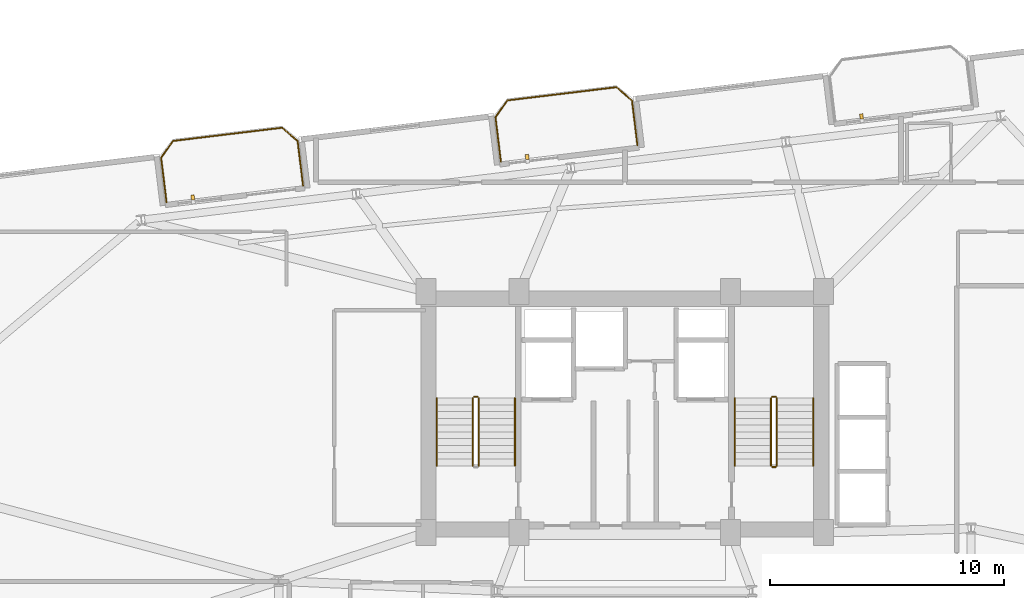
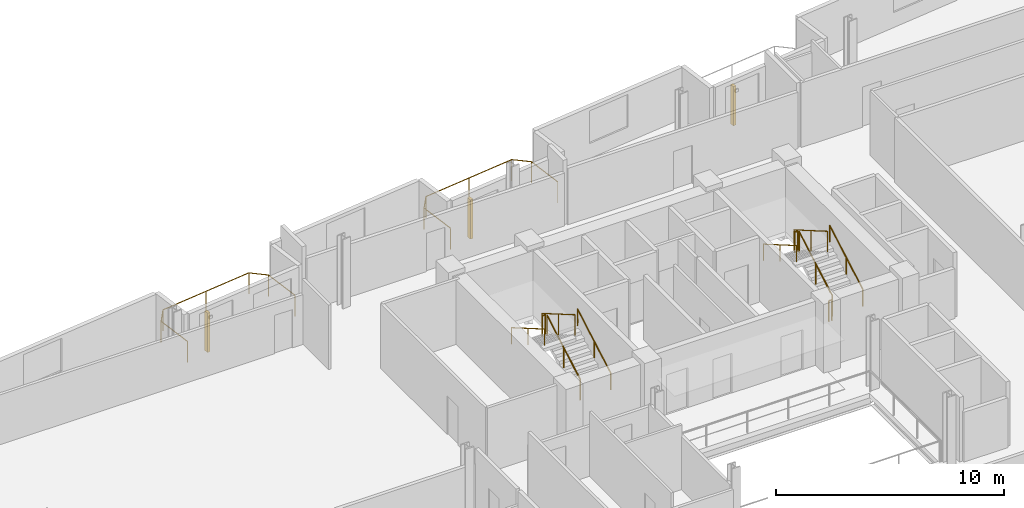
# One storey, part 22 of 23: 13 railings, 3 shading devices.
"""IFC4 building model written with IfcOpenShell, lengths in metres."""

from ifc_helpers import new_model, si_unit, direction, frame, origin, origin_2d, place, context, subcontext, project, spatial, rectangle, circle, extrude, source, transform, mapped, material, type_object, element, save


model = new_model("IFC4")

# Units and contexts
model_context = context("Model", 3, precision=1e-05, world=origin(), true_north=direction((0.0, 1.0)))
body_context = subcontext(model_context, "Body", "Model", "MODEL_VIEW")
ifc_project = project(units=[si_unit("LENGTHUNIT", "METRE"), si_unit("AREAUNIT", "SQUARE_METRE"), si_unit("VOLUMEUNIT", "CUBIC_METRE"), si_unit("PLANEANGLEUNIT", "RADIAN"), si_unit("MASSUNIT", "GRAM", prefix="KILO")], contexts=[model_context])

# Site, building, storey
site_placement = place(None, origin())
site = spatial("IfcSite", under=ifc_project, at=site_placement, CompositionType="ELEMENT")
building_placement = place(site_placement, origin())
building = spatial("IfcBuilding", under=site, at=building_placement, Name="Varnelok Gate Tower", CompositionType="ELEMENT")
storey_placement = place(building_placement, frame((0.0, 0.0, 200.5)))
storey = spatial("IfcBuildingStorey", under=building, at=storey_placement, Name="L51", CompositionType="ELEMENT", Elevation=200.5)

# Railings
ifc_material_1 = material(Name="Low-E Laminated Double Glazing IGU", Category="glass")
railing_type_1 = type_object("IfcRailingType", Name="RL-BALC-1150", PredefinedType="BALUSTRADE", material=ifc_material_1)
railing_1_placement = place(storey_placement, frame((19.603271484375, 42.869384765625, 0.0)))
element("IfcRailing", 1, at=railing_1_placement, inside=storey, type_object=railing_type_1, Name="L51 North Terrace Balustrade 4", PredefinedType="BALUSTRADE", context=body_context, shape_type="SweptSolid", body=[
    extrude(circle(Radius=0.02392578125, at=origin_2d()), frame((0.0, 0.0, 1.1259765625), z_axis=(-0.120418709125, 0.992723191274, 0.0), x_axis=(-0.992723191274, -0.120418709125, 0.0)), (0.0, 0.0, 1.0), 1.919921875),
    extrude(circle(Radius=0.02392578125, at=origin_2d()), frame((-0.231201171875, 1.906005859375, 1.1259765625), z_axis=(0.57815621837, 0.815926091726, 0.0), x_axis=(-0.815926091726, 0.57815621837, 0.0)), (0.0, 0.0, 1.0), 0.8779296875),
    extrude(circle(Radius=0.02392578125, at=origin_2d()), frame((0.2763671875, 2.622314453125, 1.1259765625), z_axis=(0.992730585037, 0.120357739811, 0.0), x_axis=(-0.120357739811, 0.992730585037, 0.0)), (0.0, 0.0, 1.0), 4.699951171875),
    extrude(circle(Radius=0.02392578125, at=origin_2d()), frame((4.942138671875, 3.18798828125, 1.1259765625), z_axis=(0.756285086452, -0.654242208979, 0.0), x_axis=(0.654242208979, 0.756285086452, 0.0)), (0.0, 0.0, 1.0), 0.878173828125),
    extrude(circle(Radius=0.02392578125, at=origin_2d()), frame((5.606201171875, 2.613525390625, 1.1259765625), z_axis=(0.120293392036, -0.992738384386, 0.0), x_axis=(0.992738384386, 0.120293392036, 0.0)), (0.0, 0.0, 1.0), 1.919921875),
    extrude(circle(Radius=0.02099609375, at=origin_2d()), origin(), (0.0, 0.0, 1.0), 1.101806640625),
    extrude(circle(Radius=0.02099609375, at=origin_2d()), frame((-0.231201171875, 1.906005859375, 0.0)), (0.0, 0.0, 1.0), 1.101806640625),
    extrude(circle(Radius=0.02099609375, at=origin_2d()), frame((0.2763671875, 2.622314453125, 0.0)), (0.0, 0.0, 1.0), 1.101806640625),
    extrude(circle(Radius=0.02099609375, at=origin_2d()), frame((2.609375, 2.9052734375, 0.0)), (0.0, 0.0, 1.0), 1.101806640625),
    extrude(circle(Radius=0.02099609375, at=origin_2d()), frame((4.942138671875, 3.18798828125, 0.0)), (0.0, 0.0, 1.0), 1.101806640625),
    extrude(circle(Radius=0.02099609375, at=origin_2d()), frame((5.606201171875, 2.613525390625, 0.0)), (0.0, 0.0, 1.0), 1.101806640625),
    extrude(circle(Radius=0.02099609375, at=origin_2d()), frame((5.837158203125, 0.70751953125, 0.0)), (0.0, 0.0, 1.0), 1.101806640625),
])
railing_2_placement = place(storey_placement, frame((33.8984375, 44.602294921875, 0.0)))
element("IfcRailing", 2, at=railing_2_placement, inside=storey, type_object=railing_type_1, Name="L51 North Terrace Balustrade 5", PredefinedType="BALUSTRADE", context=body_context, shape_type="SweptSolid", body=[
    extrude(circle(Radius=0.02392578125, at=origin_2d()), frame((0.0, 0.0, 1.1259765625), z_axis=(-0.120293392036, 0.992738384386, 0.0), x_axis=(-0.992738384386, -0.120293392036, 0.0)), (0.0, 0.0, 1.0), 1.919921875),
    extrude(circle(Radius=0.02392578125, at=origin_2d()), frame((-0.23095703125, 1.906005859375, 1.1259765625), z_axis=(0.57815621837, 0.815926091726, 0.0), x_axis=(-0.815926091726, 0.57815621837, 0.0)), (0.0, 0.0, 1.0), 0.8779296875),
    extrude(circle(Radius=0.02392578125, at=origin_2d()), frame((0.276611328125, 2.622314453125, 1.1259765625), z_axis=(0.992730585037, 0.120357739811, 0.0), x_axis=(-0.120357739811, 0.992730585037, 0.0)), (0.0, 0.0, 1.0), 4.699951171875),
    extrude(circle(Radius=0.02392578125, at=origin_2d()), frame((4.9423828125, 3.18798828125, 1.1259765625), z_axis=(0.756303655992, -0.654220742513, 0.0), x_axis=(0.654220742513, 0.756303655992, 0.0)), (0.0, 0.0, 1.0), 0.877685546875),
    extrude(circle(Radius=0.02392578125, at=origin_2d()), frame((5.606201171875, 2.61376953125, 1.1259765625), z_axis=(0.12040351024, -0.992725034802, 0.0), x_axis=(0.992725034802, 0.12040351024, 0.0)), (0.0, 0.0, 1.0), 1.920166015625),
    extrude(circle(Radius=0.02099609375, at=origin_2d()), origin(), (0.0, 0.0, 1.0), 1.101806640625),
    extrude(circle(Radius=0.02099609375, at=origin_2d()), frame((-0.23095703125, 1.906005859375, 0.0)), (0.0, 0.0, 1.0), 1.101806640625),
    extrude(circle(Radius=0.02099609375, at=origin_2d()), frame((0.276611328125, 2.622314453125, 0.0)), (0.0, 0.0, 1.0), 1.101806640625),
    extrude(circle(Radius=0.02099609375, at=origin_2d()), frame((2.609375, 2.9052734375, 0.0)), (0.0, 0.0, 1.0), 1.101806640625),
    extrude(circle(Radius=0.02099609375, at=origin_2d()), frame((4.9423828125, 3.18798828125, 0.0)), (0.0, 0.0, 1.0), 1.101806640625),
    extrude(circle(Radius=0.02099609375, at=origin_2d()), frame((5.606201171875, 2.61376953125, 0.0)), (0.0, 0.0, 1.0), 1.101806640625),
    extrude(circle(Radius=0.02099609375, at=origin_2d()), frame((5.83740234375, 0.70751953125, 0.0)), (0.0, 0.0, 1.0), 1.101806640625),
])
ifc_material_2 = material(Name="Brushed Stainless Steel AISI 316", Category="steel")
railing_type_2 = type_object("IfcRailingType", Name="RL-HANDRAIL-900", PredefinedType="HANDRAIL", material=ifc_material_2)
railing_3_placement = place(storey_placement, frame((34.5, 31.60009765625, 0.168212890625)))
element("IfcRailing", 3, at=railing_3_placement, inside=storey, type_object=railing_type_2, Name="L51 ST-1 stair handrail 1", PredefinedType="HANDRAIL", context=body_context, shape_type="SweptSolid", body=[
    extrude(circle(Radius=0.02392578125, at=origin_2d()), frame((0.0, 0.0, 0.8759765625), z_axis=(0.0, 0.865038774852, 0.501705010941), x_axis=(-1.0, 0.0, 0.0)), (0.0, 0.0, 1.0), 3.352294921875),
    extrude(circle(Radius=0.02099609375, at=origin_2d()), origin(), (0.0, 0.0, 1.0), 0.851806640625),
    extrude(circle(Radius=0.02099609375, at=origin_2d()), frame((0.0, 1.449951171875, 0.8408203125)), (0.0, 0.0, 1.0), 0.851806640625),
    extrude(circle(Radius=0.02099609375, at=origin_2d()), frame((0.0, 2.89990234375, 1.681884765625)), (0.0, 0.0, 1.0), 0.851806640625),
])
railing_4_placement = place(storey_placement, frame((31.14990234375, 34.5, 2.01806640625)))
element("IfcRailing", 4, at=railing_4_placement, inside=storey, type_object=railing_type_2, Name="L51 ST-1 stair handrail 2", PredefinedType="HANDRAIL", context=body_context, shape_type="SweptSolid", body=[
    extrude(circle(Radius=0.02392578125, at=origin_2d()), frame((0.0, 0.0, 0.8759765625), z_axis=(0.0, -0.865038774852, 0.501705010941), x_axis=(1.0, 0.0, 0.0)), (0.0, 0.0, 1.0), 3.352294921875),
    extrude(circle(Radius=0.02099609375, at=origin_2d()), origin(), (0.0, 0.0, 1.0), 0.851806640625),
    extrude(circle(Radius=0.02099609375, at=origin_2d()), frame((0.0, -1.449951171875, 0.8408203125)), (0.0, 0.0, 1.0), 0.851806640625),
    extrude(circle(Radius=0.02099609375, at=origin_2d()), frame((0.0, -2.89990234375, 1.681884765625)), (0.0, 0.0, 1.0), 0.851806640625),
])
railing_5_placement = place(storey_placement, frame((47.25, 31.60009765625, 0.168212890625)))
element("IfcRailing", 5, at=railing_5_placement, inside=storey, type_object=railing_type_2, Name="L51 ST-2 stair handrail 1", PredefinedType="HANDRAIL", context=body_context, shape_type="SweptSolid", body=[
    extrude(circle(Radius=0.02392578125, at=origin_2d()), frame((0.0, 0.0, 0.8759765625), z_axis=(0.0, 0.865038774852, 0.501705010941), x_axis=(-1.0, 0.0, 0.0)), (0.0, 0.0, 1.0), 3.352294921875),
    extrude(circle(Radius=0.02099609375, at=origin_2d()), origin(), (0.0, 0.0, 1.0), 0.851806640625),
    extrude(circle(Radius=0.02099609375, at=origin_2d()), frame((0.0, 1.449951171875, 0.8408203125)), (0.0, 0.0, 1.0), 0.851806640625),
    extrude(circle(Radius=0.02099609375, at=origin_2d()), frame((0.0, 2.89990234375, 1.681884765625)), (0.0, 0.0, 1.0), 0.851806640625),
])
railing_6_placement = place(storey_placement, frame((43.89990234375, 34.5, 2.01806640625)))
element("IfcRailing", 6, at=railing_6_placement, inside=storey, type_object=railing_type_2, Name="L51 ST-2 stair handrail 2", PredefinedType="HANDRAIL", context=body_context, shape_type="SweptSolid", body=[
    extrude(circle(Radius=0.02392578125, at=origin_2d()), frame((0.0, 0.0, 0.8759765625), z_axis=(0.0, -0.865038774852, 0.501705010941), x_axis=(1.0, 0.0, 0.0)), (0.0, 0.0, 1.0), 3.352294921875),
    extrude(circle(Radius=0.02099609375, at=origin_2d()), origin(), (0.0, 0.0, 1.0), 0.851806640625),
    extrude(circle(Radius=0.02099609375, at=origin_2d()), frame((0.0, -1.449951171875, 0.8408203125)), (0.0, 0.0, 1.0), 0.851806640625),
    extrude(circle(Radius=0.02099609375, at=origin_2d()), frame((0.0, -2.89990234375, 1.681884765625)), (0.0, 0.0, 1.0), 0.851806640625),
])
ifc_material_3 = material(Name="Galvanized Steel Grade S350GD", Category="steel")
railing_type_3 = type_object("IfcRailingType", Name="RL-STAIR-GUARD1120", PredefinedType="GUARDRAIL", material=ifc_material_3)
railing_7_placement = place(storey_placement, frame((32.949951171875, 31.60009765625, 0.168212890625)))
element("IfcRailing", 7, at=railing_7_placement, inside=storey, type_object=railing_type_3, Name="L51 ST-1 stair guard 1", PredefinedType="GUARDRAIL", context=body_context, shape_type="SweptSolid", body=[
    extrude(circle(Radius=0.02392578125, at=origin_2d()), frame((0.0, 0.0, 1.09619140625), z_axis=(0.0, 0.865038774852, 0.501705010941), x_axis=(-1.0, 0.0, 0.0)), (0.0, 0.0, 1.0), 3.352294921875),
    extrude(circle(Radius=0.02099609375, at=origin_2d()), origin(), (0.0, 0.0, 1.0), 1.072021484375),
    extrude(circle(Radius=0.02099609375, at=origin_2d()), frame((0.0, 1.449951171875, 0.8408203125)), (0.0, 0.0, 1.0), 1.072021484375),
    extrude(circle(Radius=0.02099609375, at=origin_2d()), frame((0.0, 2.89990234375, 1.681884765625)), (0.0, 0.0, 1.0), 1.072021484375),
])
railing_8_placement = place(storey_placement, frame((32.89990234375, 34.550048828125, 1.85009765625)))
element("IfcRailing", 8, at=railing_8_placement, inside=storey, type_object=railing_type_3, Name="L51 ST-1 stair guard 2", PredefinedType="GUARDRAIL", context=body_context, shape_type="SweptSolid", body=[
    extrude(circle(Radius=0.02392578125, at=origin_2d()), frame((0.0, 0.0, 1.09619140625), z_axis=(-1.0, 0.0, 0.0), x_axis=(0.0, -1.0, 0.0)), (0.0, 0.0, 1.0), 0.14990234375),
    extrude(circle(Radius=0.02099609375, at=origin_2d()), origin(), (0.0, 0.0, 1.0), 1.072021484375),
    extrude(circle(Radius=0.02099609375, at=origin_2d()), frame((-0.14990234375, 0.0, 0.0)), (0.0, 0.0, 1.0), 1.072021484375),
])
railing_9_placement = place(storey_placement, frame((32.699951171875, 34.5, 2.01806640625)))
element("IfcRailing", 9, at=railing_9_placement, inside=storey, type_object=railing_type_3, Name="L51 ST-1 stair guard 3", PredefinedType="GUARDRAIL", context=body_context, shape_type="SweptSolid", body=[
    extrude(circle(Radius=0.02392578125, at=origin_2d()), frame((0.0, 0.0, 1.09619140625), z_axis=(0.0, -0.865038774852, 0.501705010941), x_axis=(1.0, 0.0, 0.0)), (0.0, 0.0, 1.0), 3.352294921875),
    extrude(circle(Radius=0.02099609375, at=origin_2d()), origin(), (0.0, 0.0, 1.0), 1.072021484375),
    extrude(circle(Radius=0.02099609375, at=origin_2d()), frame((0.0, -1.449951171875, 0.8408203125)), (0.0, 0.0, 1.0), 1.072021484375),
    extrude(circle(Radius=0.02099609375, at=origin_2d()), frame((0.0, -2.89990234375, 1.681884765625)), (0.0, 0.0, 1.0), 1.072021484375),
])
railing_10_placement = place(storey_placement, frame((45.699951171875, 31.60009765625, 0.168212890625)))
element("IfcRailing", 10, at=railing_10_placement, inside=storey, type_object=railing_type_3, Name="L51 ST-2 stair guard 1", PredefinedType="GUARDRAIL", context=body_context, shape_type="SweptSolid", body=[
    extrude(circle(Radius=0.02392578125, at=origin_2d()), frame((0.0, 0.0, 1.09619140625), z_axis=(0.0, 0.865038774852, 0.501705010941), x_axis=(-1.0, 0.0, 0.0)), (0.0, 0.0, 1.0), 3.352294921875),
    extrude(circle(Radius=0.02099609375, at=origin_2d()), origin(), (0.0, 0.0, 1.0), 1.072021484375),
    extrude(circle(Radius=0.02099609375, at=origin_2d()), frame((0.0, 1.449951171875, 0.8408203125)), (0.0, 0.0, 1.0), 1.072021484375),
    extrude(circle(Radius=0.02099609375, at=origin_2d()), frame((0.0, 2.89990234375, 1.681884765625)), (0.0, 0.0, 1.0), 1.072021484375),
])
railing_11_placement = place(storey_placement, frame((45.64990234375, 34.550048828125, 1.85009765625)))
element("IfcRailing", 11, at=railing_11_placement, inside=storey, type_object=railing_type_3, Name="L51 ST-2 stair guard 2", PredefinedType="GUARDRAIL", context=body_context, shape_type="SweptSolid", body=[
    extrude(circle(Radius=0.02392578125, at=origin_2d()), frame((0.0, 0.0, 1.09619140625), z_axis=(-1.0, 0.0, 0.0), x_axis=(0.0, -1.0, 0.0)), (0.0, 0.0, 1.0), 0.14990234375),
    extrude(circle(Radius=0.02099609375, at=origin_2d()), origin(), (0.0, 0.0, 1.0), 1.072021484375),
    extrude(circle(Radius=0.02099609375, at=origin_2d()), frame((-0.14990234375, 0.0, 0.0)), (0.0, 0.0, 1.0), 1.072021484375),
])
railing_12_placement = place(storey_placement, frame((45.449951171875, 34.5, 2.01806640625)))
element("IfcRailing", 12, at=railing_12_placement, inside=storey, type_object=railing_type_3, Name="L51 ST-2 stair guard 3", PredefinedType="GUARDRAIL", context=body_context, shape_type="SweptSolid", body=[
    extrude(circle(Radius=0.02392578125, at=origin_2d()), frame((0.0, 0.0, 1.09619140625), z_axis=(0.0, -0.865038774852, 0.501705010941), x_axis=(1.0, 0.0, 0.0)), (0.0, 0.0, 1.0), 3.352294921875),
    extrude(circle(Radius=0.02099609375, at=origin_2d()), origin(), (0.0, 0.0, 1.0), 1.072021484375),
    extrude(circle(Radius=0.02099609375, at=origin_2d()), frame((0.0, -1.449951171875, 0.8408203125)), (0.0, 0.0, 1.0), 1.072021484375),
    extrude(circle(Radius=0.02099609375, at=origin_2d()), frame((0.0, -2.89990234375, 1.681884765625)), (0.0, 0.0, 1.0), 1.072021484375),
])
railing_13_placement = place(storey_placement, frame((45.64990234375, 31.550048828125, 0.0)))
element("IfcRailing", 13, at=railing_13_placement, inside=storey, type_object=railing_type_3, Name="L51 ST-2 stair guard 4", PredefinedType="GUARDRAIL", context=body_context, shape_type="SweptSolid", body=[
    extrude(circle(Radius=0.02392578125, at=origin_2d()), frame((0.0, 0.0, 1.09619140625), z_axis=(-1.0, 0.0, 0.0), x_axis=(0.0, -1.0, 0.0)), (0.0, 0.0, 1.0), 0.14990234375),
    extrude(circle(Radius=0.02099609375, at=origin_2d()), origin(), (0.0, 0.0, 1.0), 1.072021484375),
    extrude(circle(Radius=0.02099609375, at=origin_2d()), frame((-0.14990234375, 0.0, 0.0)), (0.0, 0.0, 1.0), 1.072021484375),
])

# Shading devices
ifc_material_4 = material(Name="Glazed Architectural Terracotta Ceramic", Category="masonry")
shading_device_type = type_object("IfcShadingDeviceType", Name="SHD-TERRA-FIN", PredefinedType="USERDEFINED", material=ifc_material_4)
shared_shape = source(origin(), body_context, "Body", "SweptSolid", [
    extrude(rectangle(XDim=0.139892578125, YDim=0.219970703125, at=origin_2d()), origin(), (0.0, 0.0, 1.0), 2.10009765625),
])
for number, where, z_axis, x_axis, name in (
    (14, (20.7265625, 43.075927734375, 0.099853515625), (0.0, 0.0, 1.0), (0.992732158755, 0.12034475881, 0.0), "L51 Terracotta Ceramic Baguette Sunscreen 4.1"),
    (15, (35.021728515625, 44.80908203125, 0.099853515625), (0.0, 0.0, 1.0), (0.992732158755, 0.12034475881, 0.0), "L51 Terracotta Ceramic Baguette Sunscreen 5.1"),
    (16, (49.317138671875, 46.5419921875, 0.099853515625), (0.0, 0.0, 1.0), (0.992732158755, 0.12034475881, 0.0), "L51 Terracotta Ceramic Baguette Sunscreen 6.1"),
):
    element("IfcShadingDevice", number, at=place(storey_placement, frame(where, z_axis=z_axis, x_axis=x_axis)), inside=storey, type_object=shading_device_type, Name=name, ObjectType="BAGUETTE", PredefinedType="USERDEFINED", context=body_context, shape_type="MappedRepresentation", body=[
        mapped(shared_shape, transform((0.0, 0.0, 0.0), scale=1.0)),
    ])

save(model, "model.ifc")
